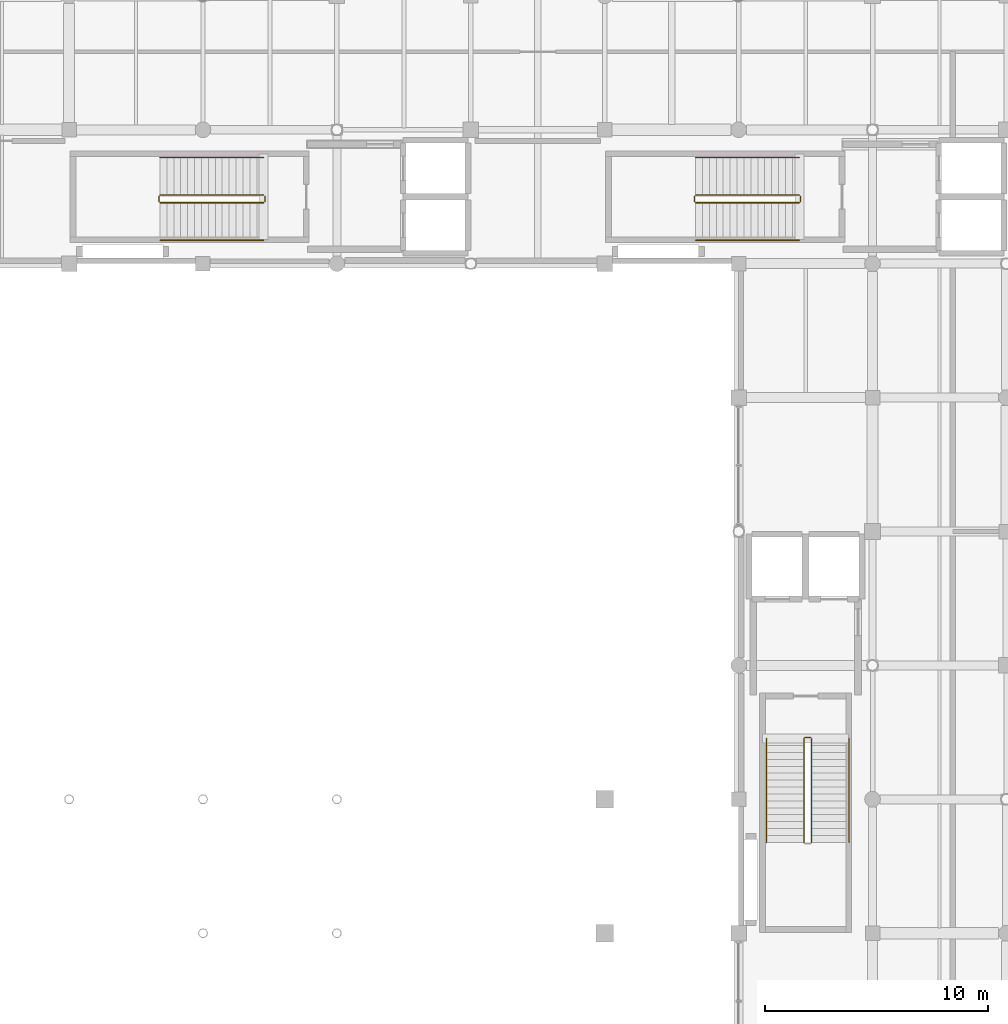
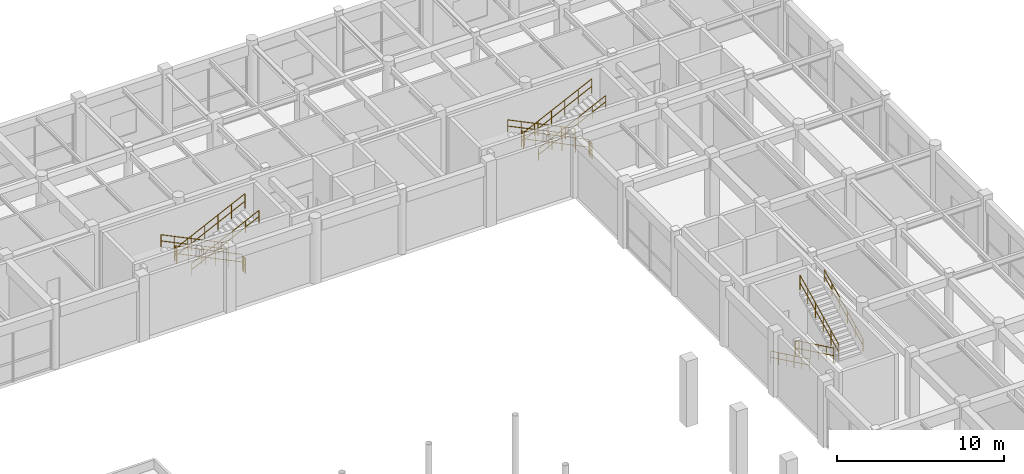
# One storey, part 123 of 123: 17 railings.
"""IFC4 building model written with IfcOpenShell, lengths in metres."""

from ifc_helpers import new_model, si_unit, direction, frame, origin, origin_2d, place, context, subcontext, project, spatial, circle, extrude, material, type_object, element, save


model = new_model("IFC4")

# Units and contexts
model_context = context("Model", 3, precision=1e-05, world=origin(), true_north=direction((0.0, 1.0)))
body_context = subcontext(model_context, "Body", "Model", "MODEL_VIEW")
ifc_project = project(units=[si_unit("LENGTHUNIT", "METRE"), si_unit("AREAUNIT", "SQUARE_METRE"), si_unit("VOLUMEUNIT", "CUBIC_METRE"), si_unit("PLANEANGLEUNIT", "RADIAN"), si_unit("MASSUNIT", "GRAM", prefix="KILO"), si_unit("THERMODYNAMICTEMPERATUREUNIT", "KELVIN"), si_unit("POWERUNIT", "WATT")], contexts=[model_context])

# Site, building, storey
site_placement = place(None, origin())
site = spatial("IfcSite", under=ifc_project, at=site_placement, CompositionType="ELEMENT")
building_placement = place(site_placement, origin())
building = spatial("IfcBuilding", under=site, at=building_placement, Name="Phaisarnlok Congress Hotel", CompositionType="ELEMENT")
storey_placement = place(building_placement, frame((0.0, 0.0, 15.0)))
storey = spatial("IfcBuildingStorey", under=building, at=storey_placement, Name="L03", CompositionType="ELEMENT", Elevation=15.0)

# Railings
ifc_material_1 = material(Name="Painted Galvanised Steel S275", Category="steel")
railing_type_1 = type_object("IfcRailingType", Name="RLG-STR-GUARD", PredefinedType="BALUSTRADE", material=ifc_material_1)
railing_1_placement = place(storey_placement, frame((164.719970703125, 111.070068359375, 0.14990234375)))
element("IfcRailing", 1, at=railing_1_placement, inside=storey, type_object=railing_type_1, Name="L03 ST-05 stair guard 1", PredefinedType="BALUSTRADE", context=body_context, shape_type="SweptSolid", body=[
    extrude(circle(Radius=0.02392578125, at=origin_2d()), frame((0.0, 0.0, 1.076171875), z_axis=(-0.900155664878, 0.0, 0.435568340204), x_axis=(0.0, -1.0, 0.0)), (0.0, 0.0, 1.0), 5.165771484375),
    extrude(circle(Radius=0.02392578125, at=origin_2d()), frame((0.0, 0.0, 0.52587890625), z_axis=(-0.900155664878, 0.0, 0.435568340204), x_axis=(0.0, -1.0, 0.0)), (0.0, 0.0, 1.0), 5.165771484375),
    extrude(circle(Radius=0.02099609375, at=origin_2d()), origin(), (0.0, 0.0, 1.0), 1.052001953125),
    extrude(circle(Radius=0.02099609375, at=origin_2d()), frame((-0.929931640625, 0.0, 0.449951171875)), (0.0, 0.0, 1.0), 1.052001953125),
    extrude(circle(Radius=0.02099609375, at=origin_2d()), frame((-1.85986328125, 0.0, 0.89990234375)), (0.0, 0.0, 1.0), 1.052001953125),
    extrude(circle(Radius=0.02099609375, at=origin_2d()), frame((-2.7900390625, 0.0, 1.35009765625)), (0.0, 0.0, 1.0), 1.052001953125),
    extrude(circle(Radius=0.02099609375, at=origin_2d()), frame((-3.719970703125, 0.0, 1.800048828125)), (0.0, 0.0, 1.0), 1.052001953125),
    extrude(circle(Radius=0.02099609375, at=origin_2d()), frame((-4.64990234375, 0.0, 2.25)), (0.0, 0.0, 1.0), 1.052001953125),
])
railing_2_placement = place(storey_placement, frame((160.02001953125, 111.02001953125, 2.39990234375)))
element("IfcRailing", 2, at=railing_2_placement, inside=storey, type_object=railing_type_1, Name="L03 ST-05 stair guard 2", PredefinedType="BALUSTRADE", context=body_context, shape_type="SweptSolid", body=[
    extrude(circle(Radius=0.02392578125, at=origin_2d()), frame((0.0, 0.0, 1.076171875), z_axis=(0.0, -1.0, 0.0), x_axis=(1.0, 0.0, 0.0)), (0.0, 0.0, 1.0), 0.239990234375),
    extrude(circle(Radius=0.02392578125, at=origin_2d()), frame((0.0, 0.0, 0.52587890625), z_axis=(0.0, -1.0, 0.0), x_axis=(1.0, 0.0, 0.0)), (0.0, 0.0, 1.0), 0.239990234375),
    extrude(circle(Radius=0.02099609375, at=origin_2d()), origin(), (0.0, 0.0, 1.0), 1.052001953125),
    extrude(circle(Radius=0.02099609375, at=origin_2d()), frame((0.0, -0.239990234375, 0.0)), (0.0, 0.0, 1.0), 1.052001953125),
])
railing_3_placement = place(storey_placement, frame((160.070068359375, 110.72998046875, 2.550048828125)))
element("IfcRailing", 3, at=railing_3_placement, inside=storey, type_object=railing_type_1, Name="L03 ST-05 stair guard 3", PredefinedType="BALUSTRADE", context=body_context, shape_type="SweptSolid", body=[
    extrude(circle(Radius=0.02392578125, at=origin_2d()), frame((0.0, 0.0, 1.076171875), z_axis=(0.900155664878, 0.0, 0.435568340204), x_axis=(0.0, 1.0, 0.0)), (0.0, 0.0, 1.0), 5.165771484375),
    extrude(circle(Radius=0.02392578125, at=origin_2d()), frame((0.0, 0.0, 0.52587890625), z_axis=(0.900155664878, 0.0, 0.435568340204), x_axis=(0.0, 1.0, 0.0)), (0.0, 0.0, 1.0), 5.165771484375),
    extrude(circle(Radius=0.02099609375, at=origin_2d()), origin(), (0.0, 0.0, 1.0), 1.052001953125),
    extrude(circle(Radius=0.02099609375, at=origin_2d()), frame((0.929931640625, 0.0, 0.449951171875)), (0.0, 0.0, 1.0), 1.052001953125),
    extrude(circle(Radius=0.02099609375, at=origin_2d()), frame((1.85986328125, 0.0, 0.89990234375)), (0.0, 0.0, 1.0), 1.052001953125),
    extrude(circle(Radius=0.02099609375, at=origin_2d()), frame((2.7900390625, 0.0, 1.35009765625)), (0.0, 0.0, 1.0), 1.052001953125),
    extrude(circle(Radius=0.02099609375, at=origin_2d()), frame((3.719970703125, 0.0, 1.800048828125)), (0.0, 0.0, 1.0), 1.052001953125),
    extrude(circle(Radius=0.02099609375, at=origin_2d()), frame((4.64990234375, 0.0, 2.25)), (0.0, 0.0, 1.0), 1.052001953125),
])
railing_4_placement = place(storey_placement, frame((164.77001953125, 111.02001953125, 0.0)))
element("IfcRailing", 4, at=railing_4_placement, inside=storey, type_object=railing_type_1, Name="L03 ST-05 stair guard 4", PredefinedType="BALUSTRADE", context=body_context, shape_type="SweptSolid", body=[
    extrude(circle(Radius=0.02392578125, at=origin_2d()), frame((0.0, 0.0, 1.076171875), z_axis=(0.0, -1.0, 0.0), x_axis=(1.0, 0.0, 0.0)), (0.0, 0.0, 1.0), 0.239990234375),
    extrude(circle(Radius=0.02392578125, at=origin_2d()), frame((0.0, 0.0, 0.52587890625), z_axis=(0.0, -1.0, 0.0), x_axis=(1.0, 0.0, 0.0)), (0.0, 0.0, 1.0), 0.239990234375),
    extrude(circle(Radius=0.02099609375, at=origin_2d()), origin(), (0.0, 0.0, 1.0), 1.052001953125),
    extrude(circle(Radius=0.02099609375, at=origin_2d()), frame((0.0, -0.239990234375, 0.0)), (0.0, 0.0, 1.0), 1.052001953125),
])
railing_5_placement = place(storey_placement, frame((140.719970703125, 111.070068359375, 0.14990234375)))
element("IfcRailing", 5, at=railing_5_placement, inside=storey, type_object=railing_type_1, Name="L03 ST-06 stair guard 1", PredefinedType="BALUSTRADE", context=body_context, shape_type="SweptSolid", body=[
    extrude(circle(Radius=0.02392578125, at=origin_2d()), frame((0.0, 0.0, 1.076171875), z_axis=(-0.900155664878, 0.0, 0.435568340204), x_axis=(0.0, -1.0, 0.0)), (0.0, 0.0, 1.0), 5.165771484375),
    extrude(circle(Radius=0.02392578125, at=origin_2d()), frame((0.0, 0.0, 0.52587890625), z_axis=(-0.900155664878, 0.0, 0.435568340204), x_axis=(0.0, -1.0, 0.0)), (0.0, 0.0, 1.0), 5.165771484375),
    extrude(circle(Radius=0.02099609375, at=origin_2d()), origin(), (0.0, 0.0, 1.0), 1.052001953125),
    extrude(circle(Radius=0.02099609375, at=origin_2d()), frame((-0.929931640625, 0.0, 0.449951171875)), (0.0, 0.0, 1.0), 1.052001953125),
    extrude(circle(Radius=0.02099609375, at=origin_2d()), frame((-1.85986328125, 0.0, 0.89990234375)), (0.0, 0.0, 1.0), 1.052001953125),
    extrude(circle(Radius=0.02099609375, at=origin_2d()), frame((-2.7900390625, 0.0, 1.35009765625)), (0.0, 0.0, 1.0), 1.052001953125),
    extrude(circle(Radius=0.02099609375, at=origin_2d()), frame((-3.719970703125, 0.0, 1.800048828125)), (0.0, 0.0, 1.0), 1.052001953125),
    extrude(circle(Radius=0.02099609375, at=origin_2d()), frame((-4.64990234375, 0.0, 2.25)), (0.0, 0.0, 1.0), 1.052001953125),
])
railing_6_placement = place(storey_placement, frame((136.02001953125, 111.02001953125, 2.39990234375)))
element("IfcRailing", 6, at=railing_6_placement, inside=storey, type_object=railing_type_1, Name="L03 ST-06 stair guard 2", PredefinedType="BALUSTRADE", context=body_context, shape_type="SweptSolid", body=[
    extrude(circle(Radius=0.02392578125, at=origin_2d()), frame((0.0, 0.0, 1.076171875), z_axis=(0.0, -1.0, 0.0), x_axis=(1.0, 0.0, 0.0)), (0.0, 0.0, 1.0), 0.239990234375),
    extrude(circle(Radius=0.02392578125, at=origin_2d()), frame((0.0, 0.0, 0.52587890625), z_axis=(0.0, -1.0, 0.0), x_axis=(1.0, 0.0, 0.0)), (0.0, 0.0, 1.0), 0.239990234375),
    extrude(circle(Radius=0.02099609375, at=origin_2d()), origin(), (0.0, 0.0, 1.0), 1.052001953125),
    extrude(circle(Radius=0.02099609375, at=origin_2d()), frame((0.0, -0.239990234375, 0.0)), (0.0, 0.0, 1.0), 1.052001953125),
])
railing_7_placement = place(storey_placement, frame((136.070068359375, 110.72998046875, 2.550048828125)))
element("IfcRailing", 7, at=railing_7_placement, inside=storey, type_object=railing_type_1, Name="L03 ST-06 stair guard 3", PredefinedType="BALUSTRADE", context=body_context, shape_type="SweptSolid", body=[
    extrude(circle(Radius=0.02392578125, at=origin_2d()), frame((0.0, 0.0, 1.076171875), z_axis=(0.900155664878, 0.0, 0.435568340204), x_axis=(0.0, 1.0, 0.0)), (0.0, 0.0, 1.0), 5.165771484375),
    extrude(circle(Radius=0.02392578125, at=origin_2d()), frame((0.0, 0.0, 0.52587890625), z_axis=(0.900155664878, 0.0, 0.435568340204), x_axis=(0.0, 1.0, 0.0)), (0.0, 0.0, 1.0), 5.165771484375),
    extrude(circle(Radius=0.02099609375, at=origin_2d()), origin(), (0.0, 0.0, 1.0), 1.052001953125),
    extrude(circle(Radius=0.02099609375, at=origin_2d()), frame((0.929931640625, 0.0, 0.449951171875)), (0.0, 0.0, 1.0), 1.052001953125),
    extrude(circle(Radius=0.02099609375, at=origin_2d()), frame((1.85986328125, 0.0, 0.89990234375)), (0.0, 0.0, 1.0), 1.052001953125),
    extrude(circle(Radius=0.02099609375, at=origin_2d()), frame((2.7900390625, 0.0, 1.35009765625)), (0.0, 0.0, 1.0), 1.052001953125),
    extrude(circle(Radius=0.02099609375, at=origin_2d()), frame((3.719970703125, 0.0, 1.800048828125)), (0.0, 0.0, 1.0), 1.052001953125),
    extrude(circle(Radius=0.02099609375, at=origin_2d()), frame((4.64990234375, 0.0, 2.25)), (0.0, 0.0, 1.0), 1.052001953125),
])
railing_8_placement = place(storey_placement, frame((140.77001953125, 111.02001953125, 0.0)))
element("IfcRailing", 8, at=railing_8_placement, inside=storey, type_object=railing_type_1, Name="L03 ST-06 stair guard 4", PredefinedType="BALUSTRADE", context=body_context, shape_type="SweptSolid", body=[
    extrude(circle(Radius=0.02392578125, at=origin_2d()), frame((0.0, 0.0, 1.076171875), z_axis=(0.0, -1.0, 0.0), x_axis=(1.0, 0.0, 0.0)), (0.0, 0.0, 1.0), 0.239990234375),
    extrude(circle(Radius=0.02392578125, at=origin_2d()), frame((0.0, 0.0, 0.52587890625), z_axis=(0.0, -1.0, 0.0), x_axis=(1.0, 0.0, 0.0)), (0.0, 0.0, 1.0), 0.239990234375),
    extrude(circle(Radius=0.02099609375, at=origin_2d()), origin(), (0.0, 0.0, 1.0), 1.052001953125),
    extrude(circle(Radius=0.02099609375, at=origin_2d()), frame((0.0, -0.239990234375, 0.0)), (0.0, 0.0, 1.0), 1.052001953125),
])
railing_9_placement = place(storey_placement, frame((164.929931640625, 86.719970703125, 0.14990234375)))
element("IfcRailing", 9, at=railing_9_placement, inside=storey, type_object=railing_type_1, Name="L03 ST-09 stair guard 1", PredefinedType="BALUSTRADE", context=body_context, shape_type="SweptSolid", body=[
    extrude(circle(Radius=0.02392578125, at=origin_2d()), frame((0.0, 0.0, 1.076171875), z_axis=(0.0, -0.900155664878, 0.435568340204), x_axis=(1.0, 0.0, 0.0)), (0.0, 0.0, 1.0), 5.165771484375),
    extrude(circle(Radius=0.02392578125, at=origin_2d()), frame((0.0, 0.0, 0.52587890625), z_axis=(0.0, -0.900155664878, 0.435568340204), x_axis=(1.0, 0.0, 0.0)), (0.0, 0.0, 1.0), 5.165771484375),
    extrude(circle(Radius=0.02099609375, at=origin_2d()), origin(), (0.0, 0.0, 1.0), 1.052001953125),
    extrude(circle(Radius=0.02099609375, at=origin_2d()), frame((0.0, -0.929931640625, 0.449951171875)), (0.0, 0.0, 1.0), 1.052001953125),
    extrude(circle(Radius=0.02099609375, at=origin_2d()), frame((0.0, -1.85986328125, 0.89990234375)), (0.0, 0.0, 1.0), 1.052001953125),
    extrude(circle(Radius=0.02099609375, at=origin_2d()), frame((0.0, -2.7900390625, 1.35009765625)), (0.0, 0.0, 1.0), 1.052001953125),
    extrude(circle(Radius=0.02099609375, at=origin_2d()), frame((0.0, -3.719970703125, 1.800048828125)), (0.0, 0.0, 1.0), 1.052001953125),
    extrude(circle(Radius=0.02099609375, at=origin_2d()), frame((0.0, -4.64990234375, 2.25)), (0.0, 0.0, 1.0), 1.052001953125),
])
railing_10_placement = place(storey_placement, frame((165.27001953125, 82.070068359375, 2.550048828125)))
element("IfcRailing", 10, at=railing_10_placement, inside=storey, type_object=railing_type_1, Name="L03 ST-09 stair guard 3", PredefinedType="BALUSTRADE", context=body_context, shape_type="SweptSolid", body=[
    extrude(circle(Radius=0.02392578125, at=origin_2d()), frame((0.0, 0.0, 1.076171875), z_axis=(0.0, 0.900155664878, 0.435568340204), x_axis=(-1.0, 0.0, 0.0)), (0.0, 0.0, 1.0), 5.165771484375),
    extrude(circle(Radius=0.02392578125, at=origin_2d()), frame((0.0, 0.0, 0.52587890625), z_axis=(0.0, 0.900155664878, 0.435568340204), x_axis=(-1.0, 0.0, 0.0)), (0.0, 0.0, 1.0), 5.165771484375),
    extrude(circle(Radius=0.02099609375, at=origin_2d()), origin(), (0.0, 0.0, 1.0), 1.052001953125),
    extrude(circle(Radius=0.02099609375, at=origin_2d()), frame((0.0, 0.929931640625, 0.449951171875)), (0.0, 0.0, 1.0), 1.052001953125),
    extrude(circle(Radius=0.02099609375, at=origin_2d()), frame((0.0, 1.85986328125, 0.89990234375)), (0.0, 0.0, 1.0), 1.052001953125),
    extrude(circle(Radius=0.02099609375, at=origin_2d()), frame((0.0, 2.7900390625, 1.35009765625)), (0.0, 0.0, 1.0), 1.052001953125),
    extrude(circle(Radius=0.02099609375, at=origin_2d()), frame((0.0, 3.719970703125, 1.800048828125)), (0.0, 0.0, 1.0), 1.052001953125),
    extrude(circle(Radius=0.02099609375, at=origin_2d()), frame((0.0, 4.64990234375, 2.25)), (0.0, 0.0, 1.0), 1.052001953125),
])
railing_11_placement = place(storey_placement, frame((164.97998046875, 86.77001953125, 0.0)))
element("IfcRailing", 11, at=railing_11_placement, inside=storey, type_object=railing_type_1, Name="L03 ST-09 stair guard 4", PredefinedType="BALUSTRADE", context=body_context, shape_type="SweptSolid", body=[
    extrude(circle(Radius=0.02392578125, at=origin_2d()), frame((0.0, 0.0, 1.076171875), z_axis=(1.0, 0.0, 0.0), x_axis=(0.0, 1.0, 0.0)), (0.0, 0.0, 1.0), 0.239990234375),
    extrude(circle(Radius=0.02392578125, at=origin_2d()), frame((0.0, 0.0, 0.52587890625), z_axis=(1.0, 0.0, 0.0), x_axis=(0.0, 1.0, 0.0)), (0.0, 0.0, 1.0), 0.239990234375),
    extrude(circle(Radius=0.02099609375, at=origin_2d()), origin(), (0.0, 0.0, 1.0), 1.052001953125),
    extrude(circle(Radius=0.02099609375, at=origin_2d()), frame((0.239990234375, 0.0, 0.0)), (0.0, 0.0, 1.0), 1.052001953125),
])
ifc_material_2 = material(Name="Brushed Stainless Steel Grade 304", Category="steel")
railing_type_2 = type_object("IfcRailingType", Name="RLG-STR-HRAIL", PredefinedType="HANDRAIL", material=ifc_material_2)
railing_12_placement = place(storey_placement, frame((164.719970703125, 112.75, 0.14990234375)))
element("IfcRailing", 12, at=railing_12_placement, inside=storey, type_object=railing_type_2, Name="L03 ST-05 stair handrail 1", PredefinedType="HANDRAIL", context=body_context, shape_type="SweptSolid", body=[
    extrude(circle(Radius=0.02392578125, at=origin_2d()), frame((0.0, 0.0, 0.8759765625), z_axis=(-0.900155664878, 0.0, 0.435568340204), x_axis=(0.0, -1.0, 0.0)), (0.0, 0.0, 1.0), 5.165771484375),
    extrude(circle(Radius=0.02392578125, at=origin_2d()), frame((0.0, 0.0, 0.42578125), z_axis=(-0.900155664878, 0.0, 0.435568340204), x_axis=(0.0, -1.0, 0.0)), (0.0, 0.0, 1.0), 5.165771484375),
    extrude(circle(Radius=0.02099609375, at=origin_2d()), origin(), (0.0, 0.0, 1.0), 0.851806640625),
    extrude(circle(Radius=0.02099609375, at=origin_2d()), frame((-0.929931640625, 0.0, 0.449951171875)), (0.0, 0.0, 1.0), 0.851806640625),
    extrude(circle(Radius=0.02099609375, at=origin_2d()), frame((-1.85986328125, 0.0, 0.89990234375)), (0.0, 0.0, 1.0), 0.851806640625),
    extrude(circle(Radius=0.02099609375, at=origin_2d()), frame((-2.7900390625, 0.0, 1.35009765625)), (0.0, 0.0, 1.0), 0.851806640625),
    extrude(circle(Radius=0.02099609375, at=origin_2d()), frame((-3.719970703125, 0.0, 1.800048828125)), (0.0, 0.0, 1.0), 0.851806640625),
    extrude(circle(Radius=0.02099609375, at=origin_2d()), frame((-4.64990234375, 0.0, 2.25)), (0.0, 0.0, 1.0), 0.851806640625),
])
railing_13_placement = place(storey_placement, frame((160.070068359375, 109.050048828125, 2.550048828125)))
element("IfcRailing", 13, at=railing_13_placement, inside=storey, type_object=railing_type_2, Name="L03 ST-05 stair handrail 2", PredefinedType="HANDRAIL", context=body_context, shape_type="SweptSolid", body=[
    extrude(circle(Radius=0.02392578125, at=origin_2d()), frame((0.0, 0.0, 0.8759765625), z_axis=(0.900155664878, 0.0, 0.435568340204), x_axis=(0.0, 1.0, 0.0)), (0.0, 0.0, 1.0), 5.165771484375),
    extrude(circle(Radius=0.02392578125, at=origin_2d()), frame((0.0, 0.0, 0.42578125), z_axis=(0.900155664878, 0.0, 0.435568340204), x_axis=(0.0, 1.0, 0.0)), (0.0, 0.0, 1.0), 5.165771484375),
    extrude(circle(Radius=0.02099609375, at=origin_2d()), origin(), (0.0, 0.0, 1.0), 0.851806640625),
    extrude(circle(Radius=0.02099609375, at=origin_2d()), frame((0.929931640625, 0.0, 0.449951171875)), (0.0, 0.0, 1.0), 0.851806640625),
    extrude(circle(Radius=0.02099609375, at=origin_2d()), frame((1.85986328125, 0.0, 0.89990234375)), (0.0, 0.0, 1.0), 0.851806640625),
    extrude(circle(Radius=0.02099609375, at=origin_2d()), frame((2.7900390625, 0.0, 1.35009765625)), (0.0, 0.0, 1.0), 0.851806640625),
    extrude(circle(Radius=0.02099609375, at=origin_2d()), frame((3.719970703125, 0.0, 1.800048828125)), (0.0, 0.0, 1.0), 0.851806640625),
    extrude(circle(Radius=0.02099609375, at=origin_2d()), frame((4.64990234375, 0.0, 2.25)), (0.0, 0.0, 1.0), 0.851806640625),
])
railing_14_placement = place(storey_placement, frame((140.719970703125, 112.75, 0.14990234375)))
element("IfcRailing", 14, at=railing_14_placement, inside=storey, type_object=railing_type_2, Name="L03 ST-06 stair handrail 1", PredefinedType="HANDRAIL", context=body_context, shape_type="SweptSolid", body=[
    extrude(circle(Radius=0.02392578125, at=origin_2d()), frame((0.0, 0.0, 0.8759765625), z_axis=(-0.900155664878, 0.0, 0.435568340204), x_axis=(0.0, -1.0, 0.0)), (0.0, 0.0, 1.0), 5.165771484375),
    extrude(circle(Radius=0.02392578125, at=origin_2d()), frame((0.0, 0.0, 0.42578125), z_axis=(-0.900155664878, 0.0, 0.435568340204), x_axis=(0.0, -1.0, 0.0)), (0.0, 0.0, 1.0), 5.165771484375),
    extrude(circle(Radius=0.02099609375, at=origin_2d()), origin(), (0.0, 0.0, 1.0), 0.851806640625),
    extrude(circle(Radius=0.02099609375, at=origin_2d()), frame((-0.929931640625, 0.0, 0.449951171875)), (0.0, 0.0, 1.0), 0.851806640625),
    extrude(circle(Radius=0.02099609375, at=origin_2d()), frame((-1.85986328125, 0.0, 0.89990234375)), (0.0, 0.0, 1.0), 0.851806640625),
    extrude(circle(Radius=0.02099609375, at=origin_2d()), frame((-2.7900390625, 0.0, 1.35009765625)), (0.0, 0.0, 1.0), 0.851806640625),
    extrude(circle(Radius=0.02099609375, at=origin_2d()), frame((-3.719970703125, 0.0, 1.800048828125)), (0.0, 0.0, 1.0), 0.851806640625),
    extrude(circle(Radius=0.02099609375, at=origin_2d()), frame((-4.64990234375, 0.0, 2.25)), (0.0, 0.0, 1.0), 0.851806640625),
])
railing_15_placement = place(storey_placement, frame((136.070068359375, 109.050048828125, 2.550048828125)))
element("IfcRailing", 15, at=railing_15_placement, inside=storey, type_object=railing_type_2, Name="L03 ST-06 stair handrail 2", PredefinedType="HANDRAIL", context=body_context, shape_type="SweptSolid", body=[
    extrude(circle(Radius=0.02392578125, at=origin_2d()), frame((0.0, 0.0, 0.8759765625), z_axis=(0.900155664878, 0.0, 0.435568340204), x_axis=(0.0, 1.0, 0.0)), (0.0, 0.0, 1.0), 5.165771484375),
    extrude(circle(Radius=0.02392578125, at=origin_2d()), frame((0.0, 0.0, 0.42578125), z_axis=(0.900155664878, 0.0, 0.435568340204), x_axis=(0.0, 1.0, 0.0)), (0.0, 0.0, 1.0), 5.165771484375),
    extrude(circle(Radius=0.02099609375, at=origin_2d()), origin(), (0.0, 0.0, 1.0), 0.851806640625),
    extrude(circle(Radius=0.02099609375, at=origin_2d()), frame((0.929931640625, 0.0, 0.449951171875)), (0.0, 0.0, 1.0), 0.851806640625),
    extrude(circle(Radius=0.02099609375, at=origin_2d()), frame((1.85986328125, 0.0, 0.89990234375)), (0.0, 0.0, 1.0), 0.851806640625),
    extrude(circle(Radius=0.02099609375, at=origin_2d()), frame((2.7900390625, 0.0, 1.35009765625)), (0.0, 0.0, 1.0), 0.851806640625),
    extrude(circle(Radius=0.02099609375, at=origin_2d()), frame((3.719970703125, 0.0, 1.800048828125)), (0.0, 0.0, 1.0), 0.851806640625),
    extrude(circle(Radius=0.02099609375, at=origin_2d()), frame((4.64990234375, 0.0, 2.25)), (0.0, 0.0, 1.0), 0.851806640625),
])
railing_16_placement = place(storey_placement, frame((163.25, 86.719970703125, 0.14990234375)))
element("IfcRailing", 16, at=railing_16_placement, inside=storey, type_object=railing_type_2, Name="L03 ST-09 stair handrail 1", PredefinedType="HANDRAIL", context=body_context, shape_type="SweptSolid", body=[
    extrude(circle(Radius=0.02392578125, at=origin_2d()), frame((0.0, 0.0, 0.8759765625), z_axis=(0.0, -0.900155664878, 0.435568340204), x_axis=(1.0, 0.0, 0.0)), (0.0, 0.0, 1.0), 5.165771484375),
    extrude(circle(Radius=0.02392578125, at=origin_2d()), frame((0.0, 0.0, 0.42578125), z_axis=(0.0, -0.900155664878, 0.435568340204), x_axis=(1.0, 0.0, 0.0)), (0.0, 0.0, 1.0), 5.165771484375),
    extrude(circle(Radius=0.02099609375, at=origin_2d()), origin(), (0.0, 0.0, 1.0), 0.851806640625),
    extrude(circle(Radius=0.02099609375, at=origin_2d()), frame((0.0, -0.929931640625, 0.449951171875)), (0.0, 0.0, 1.0), 0.851806640625),
    extrude(circle(Radius=0.02099609375, at=origin_2d()), frame((0.0, -1.85986328125, 0.89990234375)), (0.0, 0.0, 1.0), 0.851806640625),
    extrude(circle(Radius=0.02099609375, at=origin_2d()), frame((0.0, -2.7900390625, 1.35009765625)), (0.0, 0.0, 1.0), 0.851806640625),
    extrude(circle(Radius=0.02099609375, at=origin_2d()), frame((0.0, -3.719970703125, 1.800048828125)), (0.0, 0.0, 1.0), 0.851806640625),
    extrude(circle(Radius=0.02099609375, at=origin_2d()), frame((0.0, -4.64990234375, 2.25)), (0.0, 0.0, 1.0), 0.851806640625),
])
railing_17_placement = place(storey_placement, frame((166.949951171875, 82.070068359375, 2.550048828125)))
element("IfcRailing", 17, at=railing_17_placement, inside=storey, type_object=railing_type_2, Name="L03 ST-09 stair handrail 2", PredefinedType="HANDRAIL", context=body_context, shape_type="SweptSolid", body=[
    extrude(circle(Radius=0.02392578125, at=origin_2d()), frame((0.0, 0.0, 0.8759765625), z_axis=(0.0, 0.900155664878, 0.435568340204), x_axis=(-1.0, 0.0, 0.0)), (0.0, 0.0, 1.0), 5.165771484375),
    extrude(circle(Radius=0.02392578125, at=origin_2d()), frame((0.0, 0.0, 0.42578125), z_axis=(0.0, 0.900155664878, 0.435568340204), x_axis=(-1.0, 0.0, 0.0)), (0.0, 0.0, 1.0), 5.165771484375),
    extrude(circle(Radius=0.02099609375, at=origin_2d()), origin(), (0.0, 0.0, 1.0), 0.851806640625),
    extrude(circle(Radius=0.02099609375, at=origin_2d()), frame((0.0, 0.929931640625, 0.449951171875)), (0.0, 0.0, 1.0), 0.851806640625),
    extrude(circle(Radius=0.02099609375, at=origin_2d()), frame((0.0, 1.85986328125, 0.89990234375)), (0.0, 0.0, 1.0), 0.851806640625),
    extrude(circle(Radius=0.02099609375, at=origin_2d()), frame((0.0, 2.7900390625, 1.35009765625)), (0.0, 0.0, 1.0), 0.851806640625),
    extrude(circle(Radius=0.02099609375, at=origin_2d()), frame((0.0, 3.719970703125, 1.800048828125)), (0.0, 0.0, 1.0), 0.851806640625),
    extrude(circle(Radius=0.02099609375, at=origin_2d()), frame((0.0, 4.64990234375, 2.25)), (0.0, 0.0, 1.0), 0.851806640625),
])

save(model, "model.ifc")
